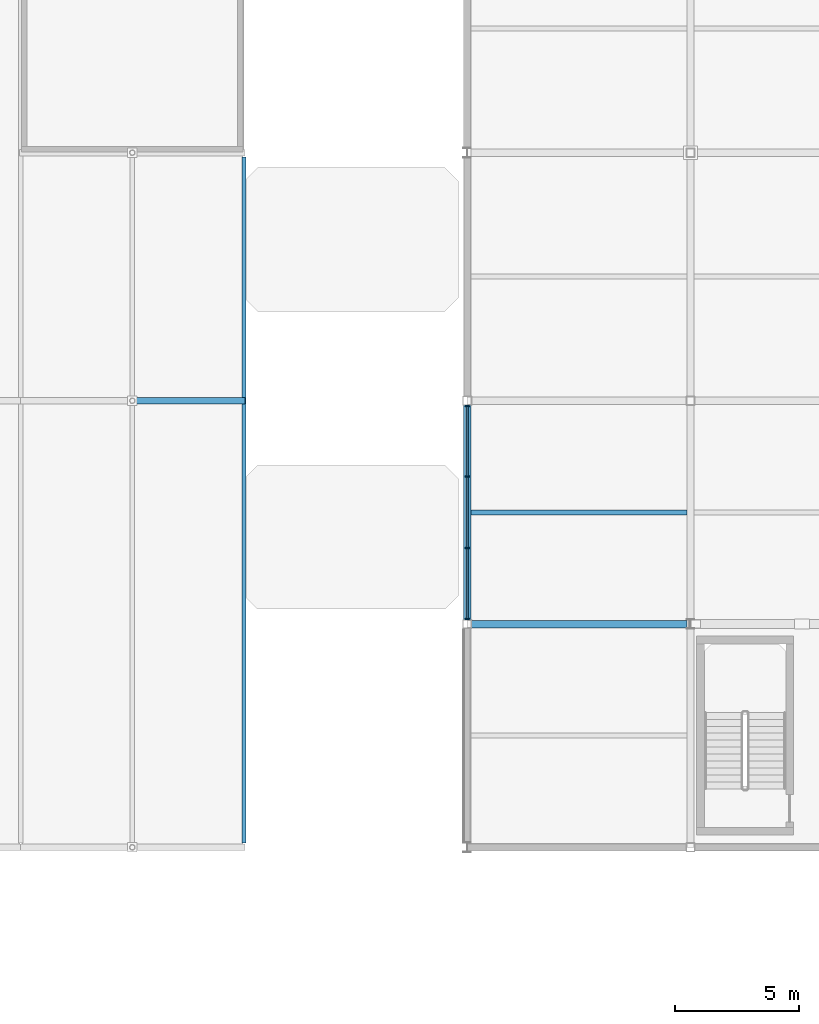
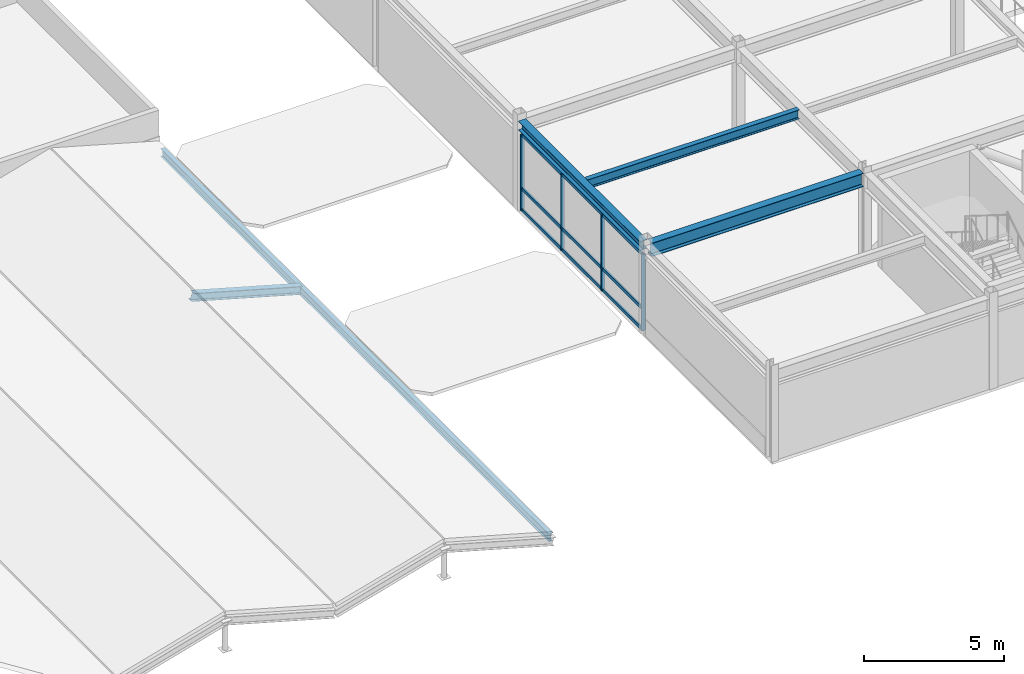
# One storey, part 20 of 40: 14 members, 4 beams, 1 element without a shape of its own.
"""IFC4 building model written with IfcOpenShell, lengths in metres."""

from ifc_helpers import new_model, si_unit, direction, frame, origin, origin_2d, place, context, subcontext, project, spatial, rectangle, i_section, extrude, material, material_profile, profile_set, type_object, element, aggregate, save


model = new_model("IFC4")

# Units and contexts
model_context = context("Model", 3, precision=1e-05, world=origin(), true_north=direction((0.0, 1.0)))
body_context = subcontext(model_context, "Body", "Model", "MODEL_VIEW")
ifc_project = project(units=[si_unit("LENGTHUNIT", "METRE"), si_unit("AREAUNIT", "SQUARE_METRE"), si_unit("VOLUMEUNIT", "CUBIC_METRE"), si_unit("PLANEANGLEUNIT", "RADIAN"), si_unit("MASSUNIT", "GRAM", prefix="KILO")], contexts=[model_context])

# Site, building, storey
site_placement = place(None, origin())
site = spatial("IfcSite", under=ifc_project, at=site_placement, CompositionType="ELEMENT")
building_placement = place(site_placement, origin())
building = spatial("IfcBuilding", under=site, at=building_placement, Name="Suzunagisa Mobility Hub", CompositionType="ELEMENT")
storey_placement = place(building_placement, frame((0.0, 0.0, 21.89990234375)))
storey = spatial("IfcBuildingStorey", under=building, at=storey_placement, Name="L05", CompositionType="ELEMENT", Elevation=21.89990234375)

# Curtain wall, members
ifc_material_1 = material(Name="Thermally Broken Anodized Aluminum and Low-E Glazing", Category="aluminium")
curtain_wall_type = type_object("IfcCurtainWallType", Name="Unitised Curtain Wall CW-12 8750x3300", PredefinedType="USERDEFINED", material=ifc_material_1)
curtain_wall_placement = place(storey_placement, origin())
curtain_wall = element("IfcCurtainWall", 1, at=curtain_wall_placement, inside=storey, type_object=curtain_wall_type, Name="L05 Unitised Curtain Wall CW-139", ObjectType="UNITISED CURTAIN WALL", PredefinedType="USERDEFINED")
ifc_material_2 = material(Name="Anodized Aluminum 6063-T6", Category="aluminium")
ifc_material_profile_1 = material_profile(ifc_material_2, rectangle(XDim=0.06494140625, YDim=0.139892578125, at=origin_2d()), Name="TRAN-65x140")
ifc_profile_set_1 = profile_set([ifc_material_profile_1], Name="Anodized Aluminum 6063-T6")
member_type_1 = type_object("IfcMemberType", Name="Curtain Wall Framing CM-01 TRAN-65x140", PredefinedType="USERDEFINED", material=ifc_profile_set_1)
member_1_placement = place(storey_placement, frame((45.0, 97.76708984375, 0.03271484375), z_axis=(0.0, -1.0, 0.0), x_axis=(1.0, 0.0, 0.0)))
member_1 = element("IfcMember", 2, at=member_1_placement, type_object=member_type_1, Name="Curtain Wall Transom 139-T1.1", ObjectType="TRANSOM", PredefinedType="USERDEFINED", context=body_context, shape_type="SweptSolid", body=[
    extrude(rectangle(XDim=0.06494140625, YDim=0.139892578125, at=origin_2d()), origin(), (0.0, 0.0, 1.0), 2.79736328125),
])
member_2_placement = place(storey_placement, frame((45.0, 97.76708984375, 0.9501953125), z_axis=(0.0, -1.0, 0.0), x_axis=(1.0, 0.0, 0.0)))
member_2 = element("IfcMember", 3, at=member_2_placement, type_object=member_type_1, Name="Curtain Wall Transom 139-T1.2", ObjectType="TRANSOM", PredefinedType="USERDEFINED", context=body_context, shape_type="SweptSolid", body=[
    extrude(rectangle(XDim=0.06494140625, YDim=0.139892578125, at=origin_2d()), origin(), (0.0, 0.0, 1.0), 2.79736328125),
])
member_3_placement = place(storey_placement, frame((45.0, 97.76708984375, 3.299560546875), z_axis=(0.0, -1.0, 0.0), x_axis=(1.0, 0.0, 0.0)))
member_3 = element("IfcMember", 4, at=member_3_placement, type_object=member_type_1, Name="Curtain Wall Transom 139-T1.3", ObjectType="TRANSOM", PredefinedType="USERDEFINED", context=body_context, shape_type="SweptSolid", body=[
    extrude(rectangle(XDim=0.06494140625, YDim=0.139892578125, at=origin_2d()), origin(), (0.0, 0.0, 1.0), 2.79736328125),
])
member_4_placement = place(storey_placement, frame((45.0, 94.913818359375, 0.03271484375), z_axis=(0.0, -1.0, 0.0), x_axis=(1.0, 0.0, 0.0)))
member_4 = element("IfcMember", 5, at=member_4_placement, type_object=member_type_1, Name="Curtain Wall Transom 139-T2.1", ObjectType="TRANSOM", PredefinedType="USERDEFINED", context=body_context, shape_type="SweptSolid", body=[
    extrude(rectangle(XDim=0.06494140625, YDim=0.139892578125, at=origin_2d()), origin(), (0.0, 0.0, 1.0), 2.82763671875),
])
member_5_placement = place(storey_placement, frame((45.0, 94.913818359375, 0.9501953125), z_axis=(0.0, -1.0, 0.0), x_axis=(1.0, 0.0, 0.0)))
member_5 = element("IfcMember", 6, at=member_5_placement, type_object=member_type_1, Name="Curtain Wall Transom 139-T2.2", ObjectType="TRANSOM", PredefinedType="USERDEFINED", context=body_context, shape_type="SweptSolid", body=[
    extrude(rectangle(XDim=0.06494140625, YDim=0.139892578125, at=origin_2d()), origin(), (0.0, 0.0, 1.0), 2.82763671875),
])
member_6_placement = place(storey_placement, frame((45.0, 94.913818359375, 3.299560546875), z_axis=(0.0, -1.0, 0.0), x_axis=(1.0, 0.0, 0.0)))
member_6 = element("IfcMember", 7, at=member_6_placement, type_object=member_type_1, Name="Curtain Wall Transom 139-T2.3", ObjectType="TRANSOM", PredefinedType="USERDEFINED", context=body_context, shape_type="SweptSolid", body=[
    extrude(rectangle(XDim=0.06494140625, YDim=0.139892578125, at=origin_2d()), origin(), (0.0, 0.0, 1.0), 2.82763671875),
])
member_7_placement = place(storey_placement, frame((45.0, 92.0302734375, 0.03271484375), z_axis=(0.0, -1.0, 0.0), x_axis=(1.0, 0.0, 0.0)))
member_7 = element("IfcMember", 8, at=member_7_placement, type_object=member_type_1, Name="Curtain Wall Transom 139-T3.1", ObjectType="TRANSOM", PredefinedType="USERDEFINED", context=body_context, shape_type="SweptSolid", body=[
    extrude(rectangle(XDim=0.06494140625, YDim=0.139892578125, at=origin_2d()), origin(), (0.0, 0.0, 1.0), 2.79736328125),
])
member_8_placement = place(storey_placement, frame((45.0, 92.0302734375, 0.9501953125), z_axis=(0.0, -1.0, 0.0), x_axis=(1.0, 0.0, 0.0)))
member_8 = element("IfcMember", 9, at=member_8_placement, type_object=member_type_1, Name="Curtain Wall Transom 139-T3.2", ObjectType="TRANSOM", PredefinedType="USERDEFINED", context=body_context, shape_type="SweptSolid", body=[
    extrude(rectangle(XDim=0.06494140625, YDim=0.139892578125, at=origin_2d()), origin(), (0.0, 0.0, 1.0), 2.79736328125),
])
member_9_placement = place(storey_placement, frame((45.0, 92.0302734375, 3.299560546875), z_axis=(0.0, -1.0, 0.0), x_axis=(1.0, 0.0, 0.0)))
member_9 = element("IfcMember", 10, at=member_9_placement, type_object=member_type_1, Name="Curtain Wall Transom 139-T3.3", ObjectType="TRANSOM", PredefinedType="USERDEFINED", context=body_context, shape_type="SweptSolid", body=[
    extrude(rectangle(XDim=0.06494140625, YDim=0.139892578125, at=origin_2d()), origin(), (0.0, 0.0, 1.0), 2.79736328125),
])
ifc_material_profile_2 = material_profile(ifc_material_2, rectangle(XDim=0.06005859375, YDim=0.14990234375, at=origin_2d()), Name="MULL-60x150")
ifc_profile_set_2 = profile_set([ifc_material_profile_2], Name="Anodized Aluminum 6063-T6")
member_type_2 = type_object("IfcMemberType", Name="Curtain Wall Framing CM-03 MULL-60x150", PredefinedType="MULLION", material=ifc_profile_set_2)
member_10_placement = place(storey_placement, frame((45.0, 97.794921875, 0.0), z_axis=(0.0, 0.0, 1.0), x_axis=(0.0, -1.0, 0.0)))
member_10 = element("IfcMember", 11, at=member_10_placement, type_object=member_type_2, Name="Curtain Wall Mullion 139-M1", PredefinedType="MULLION", context=body_context, shape_type="SweptSolid", body=[
    extrude(rectangle(XDim=0.06005859375, YDim=0.14990234375, at=origin_2d()), origin(), (0.0, 0.0, 1.0), 3.33203125),
])
member_11_placement = place(storey_placement, frame((45.0, 94.941650390625, 0.0), z_axis=(0.0, 0.0, 1.0), x_axis=(0.0, -1.0, 0.0)))
member_11 = element("IfcMember", 12, at=member_11_placement, type_object=member_type_2, Name="Curtain Wall Mullion 139-M2", PredefinedType="MULLION", context=body_context, shape_type="SweptSolid", body=[
    extrude(rectangle(XDim=0.06005859375, YDim=0.14990234375, at=origin_2d()), origin(), (0.0, 0.0, 1.0), 3.33203125),
])
member_12_placement = place(storey_placement, frame((45.0, 92.058349609375, 0.0), z_axis=(0.0, 0.0, 1.0), x_axis=(0.0, -1.0, 0.0)))
member_12 = element("IfcMember", 13, at=member_12_placement, type_object=member_type_2, Name="Curtain Wall Mullion 139-M3", PredefinedType="MULLION", context=body_context, shape_type="SweptSolid", body=[
    extrude(rectangle(XDim=0.06005859375, YDim=0.14990234375, at=origin_2d()), origin(), (0.0, 0.0, 1.0), 3.33203125),
])
member_13_placement = place(storey_placement, frame((45.0, 89.205078125, 0.0), z_axis=(0.0, 0.0, 1.0), x_axis=(0.0, -1.0, 0.0)))
member_13 = element("IfcMember", 14, at=member_13_placement, type_object=member_type_2, Name="Curtain Wall Mullion 139-M4", PredefinedType="MULLION", context=body_context, shape_type="SweptSolid", body=[
    extrude(rectangle(XDim=0.06005859375, YDim=0.14990234375, at=origin_2d()), origin(), (0.0, 0.0, 1.0), 3.33203125),
])
aggregate(curtain_wall, [member_10, member_11, member_12, member_13, member_1, member_2, member_3, member_4, member_5, member_6, member_7, member_8, member_9])

# Member
ifc_material_3 = material(Name="Steel SN400B", Category="steel")
ifc_material_profile_3 = material_profile(ifc_material_3, i_section(OverallWidth=0.25, OverallDepth=0.340087890625, WebThickness=0.009033203125, FlangeThickness=0.013916015625, FilletRadius=0.010009765625, at=origin_2d()), Name="H-340x250x9x14")
ifc_profile_set_3 = profile_set([ifc_material_profile_3], Name="Steel SN400B")
member_type_3 = type_object("IfcMemberType", Name="Roof Truss and Brace Member MB-11 H-340x250x9x14", PredefinedType="RAFTER", material=ifc_profile_set_3)
member_14_placement = place(storey_placement, frame((36.0, 98.0, -0.3798828125), z_axis=(-0.962514716328, 0.0, 0.271229461622), x_axis=(0.0, -1.0, 0.0)))
element("IfcMember", 15, at=member_14_placement, inside=storey, type_object=member_type_3, Name="L05 Ramp Canopy Rafter 247", PredefinedType="RAFTER", context=body_context, shape_type="SweptSolid", body=[
    extrude(i_section(OverallWidth=0.25, OverallDepth=0.340087890625, WebThickness=0.009033203125, FlangeThickness=0.013916015625, FilletRadius=0.010009765625, at=origin_2d()), origin(), (0.0, 0.0, 1.0), 4.67529296875),
])

# Beams
ifc_material_4 = material(Name="Steel SN490B", Category="steel")
ifc_material_profile_4 = material_profile(ifc_material_4, i_section(OverallWidth=0.300048828125, OverallDepth=0.389892578125, WebThickness=0.010009765625, FlangeThickness=0.01611328125, FilletRadius=0.012939453125, at=origin_2d()), Name="H-390x300x10x16")
ifc_profile_set_4 = profile_set([ifc_material_profile_4], Name="Steel SN490B")
beam_type_1 = type_object("IfcBeamType", Name="Steel Beam BM-13 H-390x300x10x16", PredefinedType="SPANDREL", material=ifc_profile_set_4)
beam_1_placement = place(storey_placement, frame((45.0, 89.1708984375, 3.72509765625), z_axis=(0.0, 1.0, 0.0), x_axis=(-1.0, 0.0, 0.0)))
element("IfcBeam", 16, at=beam_1_placement, inside=storey, type_object=beam_type_1, Name="L05 Primary Girder GY-1241", PredefinedType="SPANDREL", context=body_context, shape_type="SweptSolid", body=[
    extrude(i_section(OverallWidth=0.300048828125, OverallDepth=0.389892578125, WebThickness=0.010009765625, FlangeThickness=0.01611328125, FilletRadius=0.012939453125, at=origin_2d()), origin(), (0.0, 0.0, 1.0), 8.658203125),
])
ifc_material_profile_5 = material_profile(ifc_material_3, i_section(OverallWidth=0.199951171875, OverallDepth=0.39990234375, WebThickness=0.008056640625, FlangeThickness=0.012939453125, FilletRadius=0.012939453125, at=origin_2d()), Name="H-400x200x8x13")
ifc_profile_set_5 = profile_set([ifc_material_profile_5], Name="Steel SN400B")
beam_type_2 = type_object("IfcBeamType", Name="Steel Beam BM-14 H-400x200x8x13", PredefinedType="JOIST", material=ifc_profile_set_5)
beam_2_placement = place(storey_placement, frame((45.14990234375, 93.5, 3.739990234375), z_axis=(1.0, 0.0, 0.0), x_axis=(0.0, 1.0, 0.0)))
element("IfcBeam", 17, at=beam_2_placement, inside=storey, type_object=beam_type_2, Name="L05 Composite Floor Joist J-1247", PredefinedType="JOIST", context=body_context, shape_type="SweptSolid", body=[
    extrude(i_section(OverallWidth=0.199951171875, OverallDepth=0.39990234375, WebThickness=0.008056640625, FlangeThickness=0.012939453125, FilletRadius=0.012939453125, at=origin_2d()), origin(), (0.0, 0.0, 1.0), 8.7001953125),
])
ifc_material_profile_6 = material_profile(ifc_material_4, i_section(OverallWidth=0.300048828125, OverallDepth=0.587890625, WebThickness=0.011962890625, FlangeThickness=0.02001953125, FilletRadius=0.012939453125, at=origin_2d()), Name="H-588x300x12x20")
ifc_profile_set_6 = profile_set([ifc_material_profile_6], Name="Steel SN490B")
beam_type_3 = type_object("IfcBeamType", Name="Steel Beam BM-16 H-588x300x12x20", PredefinedType="BEAM", material=ifc_profile_set_6)
beam_3_placement = place(storey_placement, frame((45.1708984375, 89.0, 3.64599609375), z_axis=(1.0, 0.0, 0.0), x_axis=(0.0, 1.0, 0.0)))
element("IfcBeam", 18, at=beam_3_placement, inside=storey, type_object=beam_type_3, Name="L05 Primary Girder GX-1236", PredefinedType="BEAM", context=body_context, shape_type="SweptSolid", body=[
    extrude(i_section(OverallWidth=0.300048828125, OverallDepth=0.587890625, WebThickness=0.011962890625, FlangeThickness=0.02001953125, FilletRadius=0.012939453125, at=origin_2d()), origin(), (0.0, 0.0, 1.0), 8.68310546875),
])
ifc_material_profile_7 = material_profile(ifc_material_4, i_section(OverallWidth=0.175048828125, OverallDepth=0.35009765625, WebThickness=0.007080078125, FlangeThickness=0.010986328125, FilletRadius=0.008056640625, at=origin_2d()), Name="H-350x175x7x11")
ifc_profile_set_7 = profile_set([ifc_material_profile_7], Name="Steel SN490B")
beam_type_4 = type_object("IfcBeamType", Name="Steel Beam BM-19 H-350x175x7x11", PredefinedType="BEAM", material=ifc_profile_set_7)
beam_4_placement = place(storey_placement, frame((36.0, 80.179931640625, -0.3798828125), z_axis=(0.0, 1.0, 0.0), x_axis=(-1.0, 0.0, 0.0)))
element("IfcBeam", 19, at=beam_4_placement, inside=storey, type_object=beam_type_4, Name="L05 Ramp Drum Canopy Valley Rib 2258", PredefinedType="BEAM", context=body_context, shape_type="SweptSolid", body=[
    extrude(i_section(OverallWidth=0.175048828125, OverallDepth=0.35009765625, WebThickness=0.007080078125, FlangeThickness=0.010986328125, FilletRadius=0.008056640625, at=origin_2d()), origin(), (0.0, 0.0, 1.0), 27.64013671875),
])

save(model, "model.ifc")
